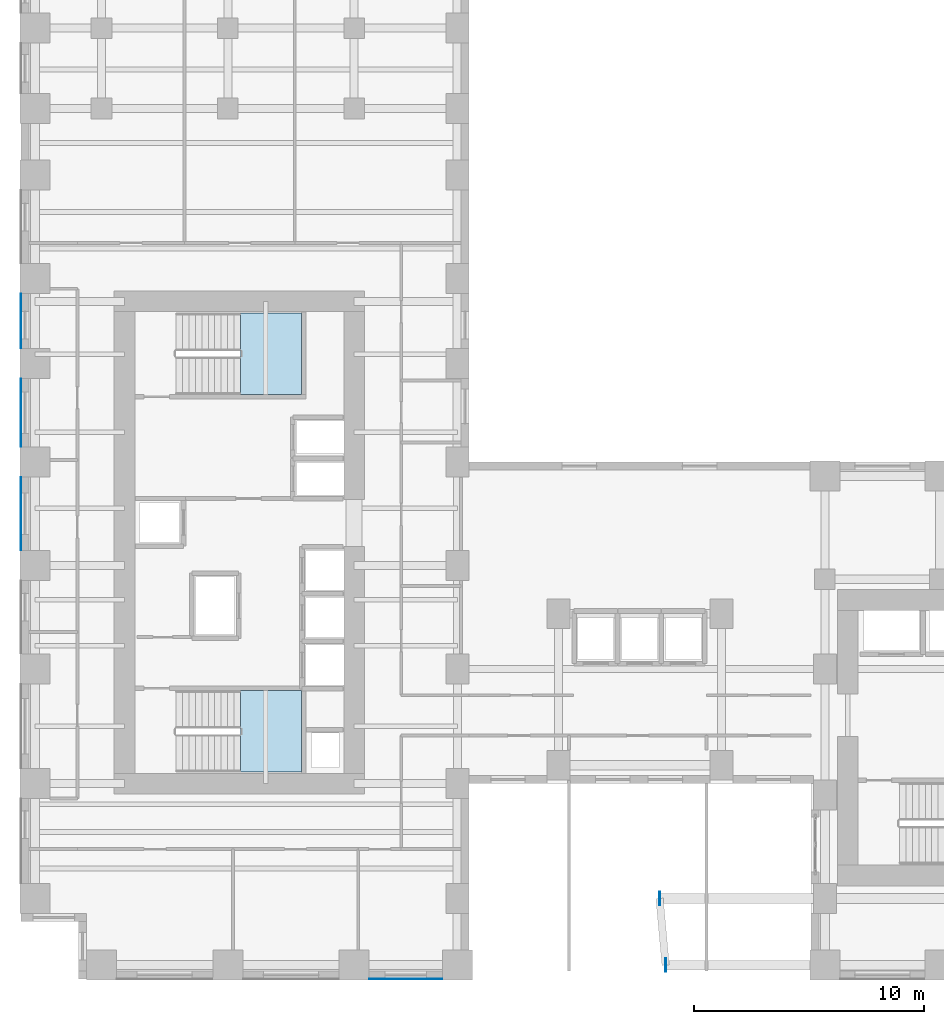
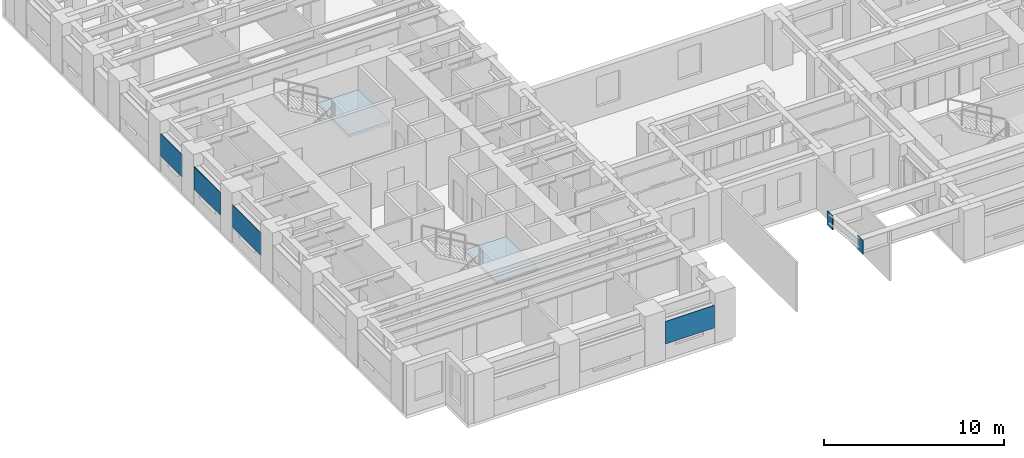
# One storey, part 5 of 14: 6 plates, 2 slabs, 2 elements without a shape of their own.
"""IFC4 building model written with IfcOpenShell, lengths in metres."""

from ifc_helpers import new_model, si_unit, direction, frame, origin, origin_2d, place, context, subcontext, project, spatial, polyline, rectangle, outline, extrude, source, transform, mapped, material, layer, layer_set, type_object, element, aggregate, save


model = new_model("IFC4")

# Units and contexts
model_context = context("Model", 3, precision=1e-05, world=origin(), true_north=direction((0.0, 1.0)))
body_context = subcontext(model_context, "Body", "Model", "MODEL_VIEW")
ifc_project = project(units=[si_unit("LENGTHUNIT", "METRE"), si_unit("AREAUNIT", "SQUARE_METRE"), si_unit("VOLUMEUNIT", "CUBIC_METRE"), si_unit("PLANEANGLEUNIT", "RADIAN"), si_unit("MASSUNIT", "GRAM", prefix="KILO")], contexts=[model_context])

# Site, building, storey
site_placement = place(None, origin())
site = spatial("IfcSite", under=ifc_project, at=site_placement, CompositionType="ELEMENT")
building_placement = place(site_placement, origin())
building = spatial("IfcBuilding", under=site, at=building_placement, Name="Kharzan Plaza Tower", CompositionType="ELEMENT")
storey_placement = place(building_placement, frame((0.0, 0.0, 58.5)))
storey = spatial("IfcBuildingStorey", under=building, at=storey_placement, Name="L15", CompositionType="ELEMENT", Elevation=58.5)

# Stair, slab
ifc_material_1 = material(Name="Concrete C40/50", Category="concrete")
stair_type_1 = type_object("IfcStairType", Name="STR-ST-1", PredefinedType="HALF_TURN_STAIR", material=ifc_material_1)
stair_1_placement = place(storey_placement, origin())
stair_1 = element("IfcStair", 1, at=stair_1_placement, inside=storey, type_object=stair_type_1, Name="L15 Protected Exit Stair ST-1", PredefinedType="HALF_TURN_STAIR")
ifc_layer_1 = layer(ifc_material_1, 0.219970703125)
ifc_layer_set_1 = layer_set([ifc_layer_1], Name="Concrete C40/50")
slab_type = type_object("IfcSlabType", Name="SL-LANDING-220", PredefinedType="LANDING", material=ifc_layer_set_1)
slab_1_placement = place(storey_placement, frame((0.0, 0.0, 1.60009765625)))
slab_1 = element("IfcSlab", 2, at=slab_1_placement, type_object=slab_type, Name="ST-1 landing 1", PredefinedType="LANDING", context=body_context, shape_type="SweptSolid", body=[
    extrude(outline(polyline([(9.550048828125, 9.0), (12.199951171875, 9.0), (12.199951171875, 12.550048828125), (9.550048828125, 12.550048828125), (9.550048828125, 9.0)])), origin(), (0.0, 0.0, 1.0), 0.199951171875),
])
aggregate(stair_1, [slab_1])

stair_type_2 = type_object("IfcStairType", Name="STR-ST-2", PredefinedType="HALF_TURN_STAIR", material=ifc_material_1)
stair_2_placement = place(storey_placement, origin())
stair_2 = element("IfcStair", 3, at=stair_2_placement, inside=storey, type_object=stair_type_2, Name="L15 Protected Exit Stair ST-2", PredefinedType="HALF_TURN_STAIR")
slab_2_placement = place(storey_placement, frame((0.0, 0.0, 1.60009765625)))
slab_2 = element("IfcSlab", 4, at=slab_2_placement, type_object=slab_type, Name="ST-2 landing 1", PredefinedType="LANDING", context=body_context, shape_type="SweptSolid", body=[
    extrude(outline(polyline([(9.550048828125, 25.449951171875), (12.199951171875, 25.449951171875), (12.199951171875, 29.0), (9.550048828125, 29.0), (9.550048828125, 25.449951171875)])), origin(), (0.0, 0.0, 1.0), 0.199951171875),
])
aggregate(stair_2, [slab_2])

# Plates
ifc_material_2 = material(Name="Steel S460", Category="steel")
ifc_layer_2 = layer(ifc_material_2, 0.0419921875)
ifc_layer_set_2 = layer_set([ifc_layer_2], Name="Steel S460")
plate_type_1 = type_object("IfcPlateType", Name="PLT-ZTN1", PredefinedType="USERDEFINED", material=ifc_layer_set_2)
shared_shape_1 = source(origin(), body_context, "Body", "SweptSolid", [
    extrude(rectangle(XDim=0.60009765625, YDim=0.0419921875, at=origin_2d()), origin(), (0.0, 0.0, 1.0), 0.949951171875),
])
for number, where, z_axis, x_axis, name in (
    (5, (28.06396484375, 0.60009765625, 2.4365234375), (0.0, 0.0, 1.0), (0.0, 1.0, 0.0), "L15 Sky-Terrace Cantilever Tip Plate ZTN1"),
    (6, (27.800048828125, 3.5, 2.4365234375), (0.0, 0.0, 1.0), (0.0, 1.0, 0.0), "L15 Sky-Terrace Cantilever Tip Plate ZTN1"),
):
    element("IfcPlate", number, at=place(storey_placement, frame(where, z_axis=z_axis, x_axis=x_axis)), inside=storey, type_object=plate_type_1, Name=name, ObjectType="FLANGE_PLATE", PredefinedType="USERDEFINED", context=body_context, shape_type="MappedRepresentation", body=[
        mapped(shared_shape_1, transform((0.0, 0.0, 0.0), x_axis=(1.0, 0.0, 0.0), y_axis=(0.0, 1.0, 0.0), z_axis=(0.0, 0.0, 1.0))),
    ])
ifc_material_3 = material(Name="Perforated Bronze-Anodized Aluminium", Category="aluminium")
ifc_layer_3 = layer(ifc_material_3, 0.030029296875)
ifc_layer_set_3 = layer_set([ifc_layer_3], Name="Perforated Bronze-Anodized Aluminium")
plate_type_2 = type_object("IfcPlateType", Name="PLT-MASH-SCREEN", PredefinedType="SHEET", material=ifc_layer_set_3)
shared_shape_2 = source(origin(), body_context, "Body", "SweptSolid", [
    extrude(rectangle(XDim=2.364013671875, YDim=0.030029296875, at=origin_2d()), origin(), (0.0, 0.0, 1.0), 1.530029296875),
])
plate_1_placement = place(storey_placement, frame((-0.012939453125, 28.64990234375, 1.06494140625), z_axis=(0.0, 0.0, 1.0), x_axis=(0.0, -1.0, 0.0)))
element("IfcPlate", 7, at=plate_1_placement, inside=storey, type_object=plate_type_2, Name="L15 Perforated Mashrabiya Solar Screen", PredefinedType="SHEET", context=body_context, shape_type="MappedRepresentation", body=[
    mapped(shared_shape_2, transform((0.0, 0.0, 0.0), x_axis=(1.0, 0.0, 0.0), y_axis=(0.0, 1.0, 0.0), z_axis=(0.0, 0.0, 1.0))),
])
shared_shape_3 = source(origin(), body_context, "Body", "SweptSolid", [
    extrude(rectangle(XDim=2.964111328125, YDim=0.030029296875, at=origin_2d()), origin(), (0.0, 0.0, 1.0), 1.530029296875),
])
plate_2_placement = place(storey_placement, frame((-0.012939453125, 24.64990234375, 1.06494140625), z_axis=(0.0, 0.0, 1.0), x_axis=(0.0, -1.0, 0.0)))
element("IfcPlate", 8, at=plate_2_placement, inside=storey, type_object=plate_type_2, Name="L15 Perforated Mashrabiya Solar Screen", PredefinedType="SHEET", context=body_context, shape_type="MappedRepresentation", body=[
    mapped(shared_shape_3, transform((0.0, 0.0, 0.0), x_axis=(1.0, 0.0, 0.0), y_axis=(0.0, 1.0, 0.0), z_axis=(0.0, 0.0, 1.0))),
])
shared_shape_4 = source(origin(), body_context, "Body", "SweptSolid", [
    extrude(rectangle(XDim=3.1640625, YDim=0.030029296875, at=origin_2d()), origin(), (0.0, 0.0, 1.0), 1.530029296875),
])
for number, where, z_axis, x_axis, name in (
    (9, (-0.012939453125, 20.25, 1.06494140625), (0.0, 0.0, 1.0), (0.0, -1.0, 0.0), "L15 Perforated Mashrabiya Solar Screen"),
    (10, (16.75, -0.012939453125, 1.06494140625), (0.0, 0.0, 1.0), (1.0, 0.0, 0.0), "L15 Perforated Mashrabiya Solar Screen"),
):
    element("IfcPlate", number, at=place(storey_placement, frame(where, z_axis=z_axis, x_axis=x_axis)), inside=storey, type_object=plate_type_2, Name=name, PredefinedType="SHEET", context=body_context, shape_type="MappedRepresentation", body=[
        mapped(shared_shape_4, transform((0.0, 0.0, 0.0), x_axis=(1.0, 0.0, 0.0), y_axis=(0.0, 1.0, 0.0), z_axis=(0.0, 0.0, 1.0))),
    ])

save(model, "model.ifc")
